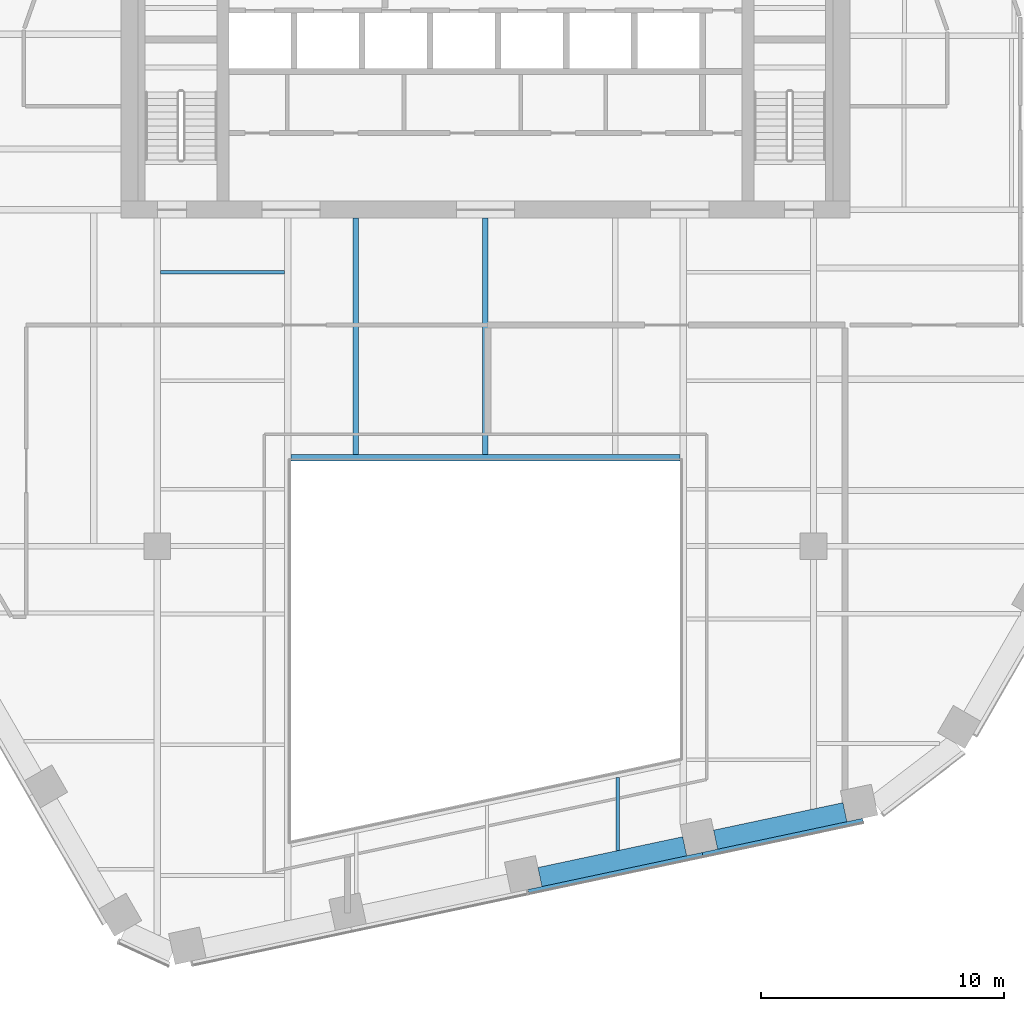
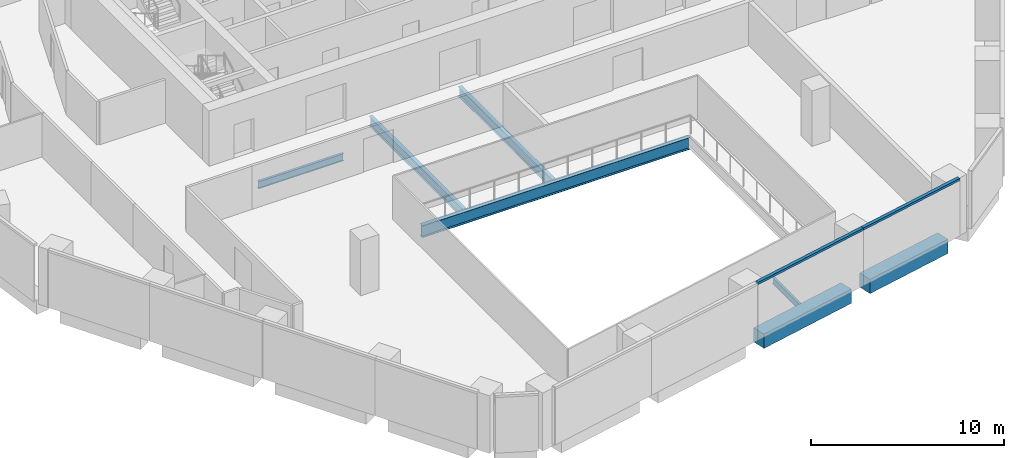
# One storey, part 4 of 17: 7 beams, 2 members, 1 element without a shape of its own.
"""IFC4 building model written with IfcOpenShell, lengths in metres."""

from ifc_helpers import new_model, si_unit, direction, frame, origin, origin_2d, place, context, subcontext, project, spatial, rectangle, i_section, extrude, material, layer, layer_set, material_profile, profile_set, type_object, element, aggregate, save


model = new_model("IFC4")

# Units and contexts
model_context = context("Model", 3, precision=1e-05, world=origin(), true_north=direction((0.0, 1.0)))
body_context = subcontext(model_context, "Body", "Model", "MODEL_VIEW")
ifc_project = project(units=[si_unit("LENGTHUNIT", "METRE"), si_unit("AREAUNIT", "SQUARE_METRE"), si_unit("VOLUMEUNIT", "CUBIC_METRE"), si_unit("PLANEANGLEUNIT", "RADIAN"), si_unit("MASSUNIT", "GRAM", prefix="KILO")], contexts=[model_context])

# Site, building, storey
site_placement = place(None, origin())
site = spatial("IfcSite", under=ifc_project, at=site_placement, CompositionType="ELEMENT")
building_placement = place(site_placement, origin())
building = spatial("IfcBuilding", under=site, at=building_placement, Name="Isthmus Gate Tower", CompositionType="ELEMENT")
storey_placement = place(building_placement, frame((0.0, 0.0, 181.75)))
storey = spatial("IfcBuildingStorey", under=building, at=storey_placement, Name="L45", CompositionType="ELEMENT", Elevation=181.75)

# Curtain wall, members
ifc_material_1 = material(Name="Aluminium, pale champagne anodised", Category="aluminium")
ifc_layer = layer(ifc_material_1, 0.199951171875)
ifc_layer_set = layer_set([ifc_layer], Name="CW-1 UNITISED CURTAIN WALL 200 DEEP")
curtain_wall_type = type_object("IfcCurtainWallType", Name="CW-1 UNITISED CURTAIN WALL 200 DEEP", PredefinedType="NOTDEFINED", material=ifc_layer_set)
curtain_wall_placement = place(storey_placement, origin())
curtain_wall = element("IfcCurtainWall", 1, at=curtain_wall_placement, inside=storey, type_object=curtain_wall_type, Name="CW-1 S L45", PredefinedType="NOTDEFINED")
ifc_material_2 = material(Name="Aluminium, pale champagne anodised", Category="aluminium")
ifc_material_profile_1 = material_profile(ifc_material_2, rectangle(XDim=0.199951171875, YDim=0.139892578125, at=origin_2d()), Name="200x140")
ifc_profile_set_1 = profile_set([ifc_material_profile_1], Name="Aluminium, pale champagne anodised")
member_type = type_object("IfcMemberType", Name="CW-1 TRANSOM 200 X 140", PredefinedType="USERDEFINED", material=ifc_profile_set_1)
member_1_placement = place(storey_placement, frame((1.76953125, -27.72607421875, 3.580078125), z_axis=(0.978146152746, 0.207918502948, 0.0), x_axis=(-0.207918502948, 0.978146152746, 0.0)))
member_1 = element("IfcMember", 2, at=member_1_placement, type_object=member_type, Name="CW-1 transom", ObjectType="TRANSOM", PredefinedType="USERDEFINED", context=body_context, shape_type="SweptSolid", body=[
    extrude(rectangle(XDim=0.199951171875, YDim=0.139892578125, at=origin_2d()), origin(), (0.0, 0.0, 1.0), 7.33056640625),
])
member_2_placement = place(storey_placement, frame((8.93994140625, -26.201904296875, 3.580078125), z_axis=(0.978151394347, 0.207893842469, 0.0), x_axis=(-0.207893842469, 0.978151394347, 0.0)))
member_2 = element("IfcMember", 3, at=member_2_placement, type_object=member_type, Name="CW-1 transom", ObjectType="TRANSOM", PredefinedType="USERDEFINED", context=body_context, shape_type="SweptSolid", body=[
    extrude(rectangle(XDim=0.199951171875, YDim=0.139892578125, at=origin_2d()), origin(), (0.0, 0.0, 1.0), 6.74072265625),
])
aggregate(curtain_wall, [member_1, member_2])

# Beams
ifc_material_3 = material(Name="Concrete f'c 60 MPa", Category="concrete")
ifc_material_profile_2 = material_profile(ifc_material_3, rectangle(XDim=0.800048828125, YDim=0.89990234375, at=origin_2d()), Name="RC 800X900")
ifc_profile_set_2 = profile_set([ifc_material_profile_2], Name="Concrete f'c 60 MPa")
beam_type_1 = type_object("IfcBeamType", Name="RC SPANDREL 800 X 900", PredefinedType="SPANDREL", material=ifc_profile_set_2)
beam_1_placement = place(storey_placement, frame((14.793701171875, -24.446533203125, -0.449951171875), z_axis=(-0.978150410773, -0.207898470186, 0.0), x_axis=(0.207898470186, -0.978150410773, 0.0)))
element("IfcBeam", 4, at=beam_1_placement, inside=storey, type_object=beam_type_1, Name="str-spandrel-L45-11", PredefinedType="SPANDREL", context=body_context, shape_type="SweptSolid", body=[
    extrude(rectangle(XDim=0.800048828125, YDim=0.89990234375, at=origin_2d()), origin(), (0.0, 0.0, 1.0), 5.440673828125),
])
beam_2_placement = place(storey_placement, frame((8.2001953125, -25.84814453125, -0.449951171875), z_axis=(-0.978146012851, -0.207919161079, 0.0), x_axis=(0.207919161079, -0.978146012851, 0.0)))
element("IfcBeam", 5, at=beam_2_placement, inside=storey, type_object=beam_type_1, Name="str-spandrel-L45-12", PredefinedType="SPANDREL", context=body_context, shape_type="SweptSolid", body=[
    extrude(rectangle(XDim=0.800048828125, YDim=0.89990234375, at=origin_2d()), origin(), (0.0, 0.0, 1.0), 6.090576171875),
])
ifc_material_4 = material(Name="Structural steel ASTM A992 Gr 50", Category="steel")
ifc_material_profile_3 = material_profile(ifc_material_4, i_section(OverallWidth=0.1396484375, OverallDepth=0.4033203125, WebThickness=0.00634765625, FlangeThickness=0.010986328125, at=origin_2d()), Name="W16X31")
ifc_profile_set_3 = profile_set([ifc_material_profile_3], Name="Structural steel ASTM A992 Gr 50")
beam_type_2 = type_object("IfcBeamType", Name="STEEL FLOOR BEAM W16X31", PredefinedType="JOIST", material=ifc_profile_set_3)
beam_3_placement = place(storey_placement, frame((5.443115234375, -26.025146484375, -0.3515625), z_axis=(0.0, 1.0, 0.0), x_axis=(-1.0, 0.0, 0.0)))
element("IfcBeam", 6, at=beam_3_placement, inside=storey, type_object=beam_type_2, Name="str-beam-L45-07-02", PredefinedType="JOIST", context=body_context, shape_type="SweptSolid", body=[
    extrude(i_section(OverallWidth=0.1396484375, OverallDepth=0.4033203125, WebThickness=0.00634765625, FlangeThickness=0.010986328125, at=origin_2d()), origin(), (0.0, 0.0, 1.0), 2.998779296875),
])
ifc_material_5 = material(Name="Structural steel ASTM A992 Gr 50", Category="steel")
ifc_material_profile_4 = material_profile(ifc_material_5, i_section(OverallWidth=0.15234375, OverallDepth=0.45068359375, WebThickness=0.0078125, FlangeThickness=0.010986328125, at=origin_2d()), Name="W18X35")
ifc_profile_set_4 = profile_set([ifc_material_profile_4], Name="Structural steel ASTM A992 Gr 50")
beam_type_3 = type_object("IfcBeamType", Name="STEEL FLOOR BEAM W18X35", PredefinedType="JOIST", material=ifc_profile_set_4)
beam_4_placement = place(storey_placement, frame((-13.3681640625, -2.232421875, -0.37548828125), z_axis=(1.0, 0.0, 0.0), x_axis=(0.0, 1.0, 0.0)))
element("IfcBeam", 7, at=beam_4_placement, inside=storey, type_object=beam_type_3, Name="str-beam-L45-04-02", PredefinedType="JOIST", context=body_context, shape_type="SweptSolid", body=[
    extrude(i_section(OverallWidth=0.15234375, OverallDepth=0.45068359375, WebThickness=0.0078125, FlangeThickness=0.010986328125, at=origin_2d()), origin(), (0.0, 0.0, 1.0), 5.1015625),
])
ifc_material_6 = material(Name="Structural steel ASTM A992 Gr 50", Category="steel")
ifc_material_profile_5 = material_profile(ifc_material_6, i_section(OverallWidth=0.228515625, OverallDepth=0.603271484375, WebThickness=0.010986328125, FlangeThickness=0.014404296875, at=origin_2d()), Name="W24X68")
ifc_profile_set_5 = profile_set([ifc_material_profile_5], Name="Structural steel ASTM A992 Gr 50")
beam_type_4 = type_object("IfcBeamType", Name="STEEL FLOOR BEAM W24X68", PredefinedType="JOIST", material=ifc_profile_set_5)
for number, where, z_axis, x_axis, name in (
    (8, (-5.333251953125, -9.7333984375, -0.45166015625), (0.0, 1.0, 0.0), (-1.0, 0.0, 0.0), "str-beam-L45-06-00"),
    (9, (0.0, -9.7333984375, -0.45166015625), (0.0, 1.0, 0.0), (-1.0, 0.0, 0.0), "str-beam-L45-06-01"),
):
    element("IfcBeam", number, at=place(storey_placement, frame(where, z_axis=z_axis, x_axis=x_axis)), inside=storey, type_object=beam_type_4, Name=name, PredefinedType="JOIST", context=body_context, shape_type="SweptSolid", body=[
        extrude(i_section(OverallWidth=0.228515625, OverallDepth=0.603271484375, WebThickness=0.010986328125, FlangeThickness=0.014404296875, at=origin_2d()), origin(), (0.0, 0.0, 1.0), 9.7333984375),
    ])
ifc_material_7 = material(Name="Structural steel ASTM A992 Gr 50", Category="steel")
ifc_material_profile_6 = material_profile(ifc_material_7, i_section(OverallWidth=0.2666015625, OverallDepth=0.7587890625, WebThickness=0.014404296875, FlangeThickness=0.01904296875, at=origin_2d()), Name="W30X108")
ifc_profile_set_6 = profile_set([ifc_material_profile_6], Name="Structural steel ASTM A992 Gr 50")
beam_type_5 = type_object("IfcBeamType", Name="STEEL TRIMMER W30X108", PredefinedType="BEAM", material=ifc_profile_set_6)
beam_5_placement = place(storey_placement, frame((8.0, -9.86669921875, -0.529296875), z_axis=(-1.0, 0.0, 0.0), x_axis=(0.0, -1.0, 0.0)))
element("IfcBeam", 10, at=beam_5_placement, inside=storey, type_object=beam_type_5, Name="str-trimmer-L45-04", PredefinedType="BEAM", context=body_context, shape_type="SweptSolid", body=[
    extrude(i_section(OverallWidth=0.2666015625, OverallDepth=0.7587890625, WebThickness=0.014404296875, FlangeThickness=0.01904296875, at=origin_2d()), origin(), (0.0, 0.0, 1.0), 16.0),
])

save(model, "model.ifc")
